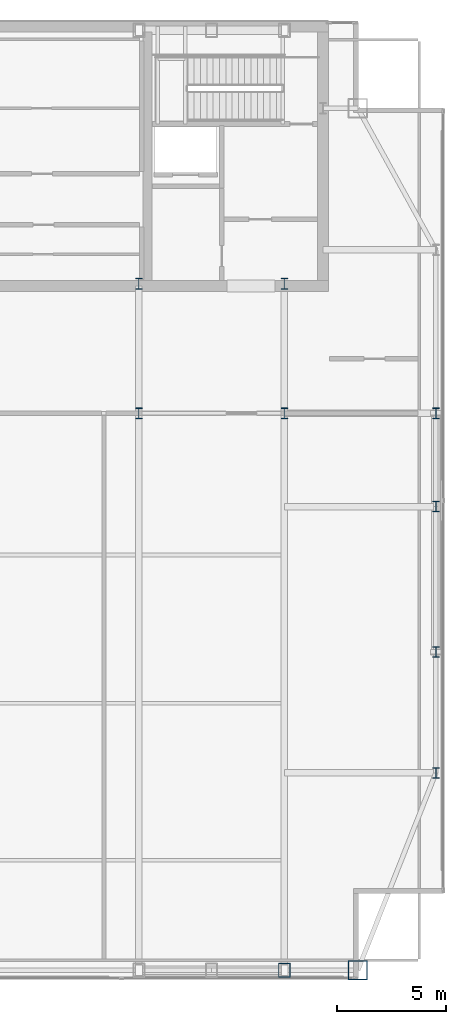
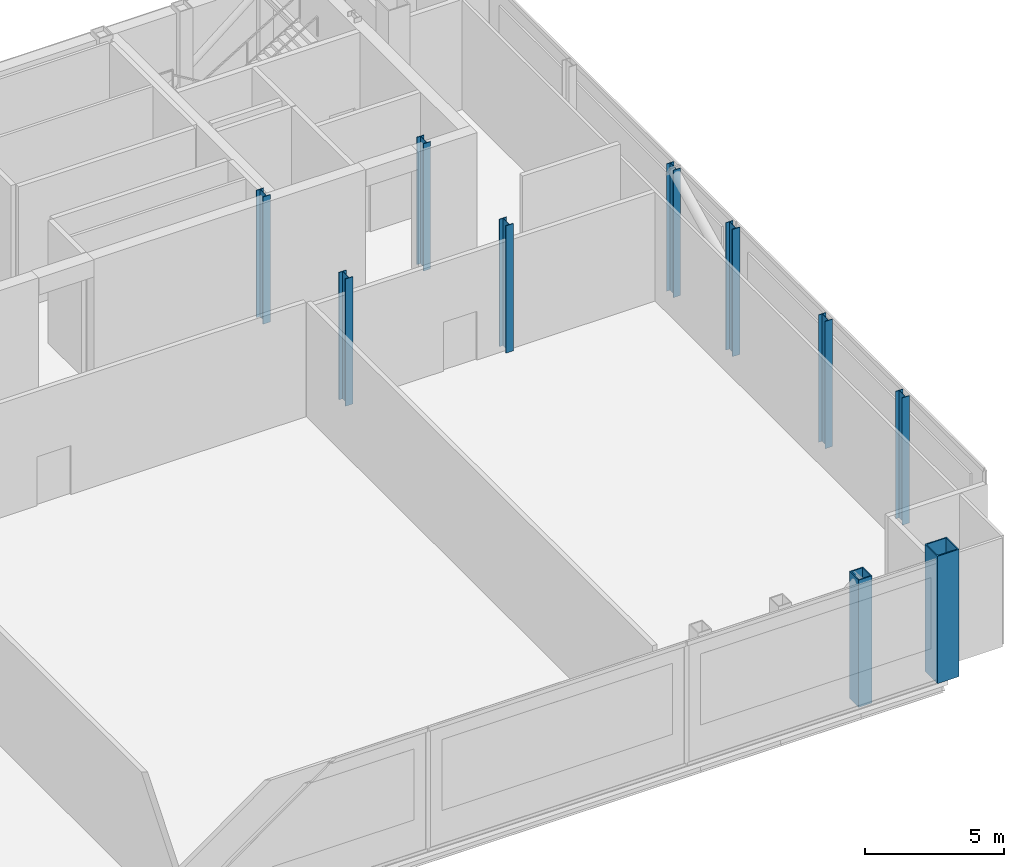
# One storey, part 2 of 22: 10 columns.
"""IFC4 building model written with IfcOpenShell, lengths in metres."""

from ifc_helpers import new_model, si_unit, direction, frame, origin, origin_2d, place, context, subcontext, project, spatial, hollow_rectangle, i_section, extrude, material, material_profile, profile_set, type_object, element, save


model = new_model("IFC4")

# Units and contexts
model_context = context("Model", 3, precision=1e-05, world=origin(), true_north=direction((0.0, 1.0)))
body_context = subcontext(model_context, "Body", "Model", "MODEL_VIEW")
ifc_project = project(units=[si_unit("LENGTHUNIT", "METRE"), si_unit("AREAUNIT", "SQUARE_METRE"), si_unit("VOLUMEUNIT", "CUBIC_METRE"), si_unit("PLANEANGLEUNIT", "RADIAN"), si_unit("MASSUNIT", "GRAM", prefix="KILO")], contexts=[model_context])

# Site, building, storey
site_placement = place(None, origin())
site = spatial("IfcSite", under=ifc_project, at=site_placement, CompositionType="ELEMENT")
building_placement = place(site_placement, origin())
building = spatial("IfcBuilding", under=site, at=building_placement, Name="Khoronbel Lancet Exchange", CompositionType="ELEMENT")
storey_placement = place(building_placement, frame((0.0, 0.0, 373.0)))
storey = spatial("IfcBuildingStorey", under=building, at=storey_placement, Name="L95", CompositionType="ELEMENT", Elevation=373.0)

# Columns
ifc_material_1 = material(Name="Steel S355", Category="steel")
ifc_material_profile_1 = material_profile(ifc_material_1, i_section(OverallWidth=0.300048828125, OverallDepth=0.5, WebThickness=0.014404296875, FlangeThickness=0.028076171875, at=origin_2d()), Name="HEB 500")
ifc_profile_set_1 = profile_set([ifc_material_profile_1], Name="Steel S355")
column_type_1 = type_object("IfcColumnType", Name="COL-CRC1", PredefinedType="COLUMN", material=ifc_profile_set_1)
for number, where, z_axis, x_axis, name in (
    (1, (61.6298828125, 19.199951171875, 0.0), (0.0, 0.0, 1.0), (1.0, 0.0, 0.0), "CROWN FRAME column EC-1 L95"),
    (2, (61.6298828125, 24.75, 0.0), (0.0, 0.0, 1.0), (1.0, 0.0, 0.0), "CROWN FRAME column EC-2 L95"),
    (3, (61.6298828125, 31.425048828125, 0.0), (0.0, 0.0, 1.0), (1.0, 0.0, 0.0), "CROWN FRAME column EC-M L95"),
    (4, (61.6298828125, 35.699951171875, 0.0), (0.0, 0.0, 1.0), (1.0, 0.0, 0.0), "CROWN FRAME column EC-3 L95"),
    (5, (48.0, 35.699951171875, 0.0), (0.0, 0.0, 1.0), (1.0, 0.0, 0.0), "CROWN FRAME spine column TC3 L95"),
    (6, (48.0, 41.64990234375, 0.0), (0.0, 0.0, 1.0), (1.0, 0.0, 0.0), "Core-embedded steel column CTC3 L95"),
    (7, (54.675048828125, 35.699951171875, 0.0), (0.0, 0.0, 1.0), (1.0, 0.0, 0.0), "CROWN FRAME spine column TC4 L95"),
    (8, (54.675048828125, 41.64990234375, 0.0), (0.0, 0.0, 1.0), (1.0, 0.0, 0.0), "Core-embedded steel column CTC4 L95"),
):
    element("IfcColumn", number, at=place(storey_placement, frame(where, z_axis=z_axis, x_axis=x_axis)), inside=storey, type_object=column_type_1, Name=name, PredefinedType="COLUMN", context=body_context, shape_type="SweptSolid", body=[
        extrude(i_section(OverallWidth=0.300048828125, OverallDepth=0.5, WebThickness=0.014404296875, FlangeThickness=0.028076171875, at=origin_2d()), origin(), (0.0, 0.0, 1.0), 5.60009765625),
    ])
ifc_material_2 = material(Name="Steel S460", Category="steel")
ifc_material_profile_2 = material_profile(ifc_material_2, hollow_rectangle(XDim=0.550048828125, YDim=0.64990234375, WallThickness=0.0400390625, at=origin_2d()), Name="BOX 650x550x40")
ifc_profile_set_2 = profile_set([ifc_material_profile_2], Name="Steel S460")
column_type_2 = type_object("IfcColumnType", Name="COL-EC4", PredefinedType="COLUMN", material=ifc_profile_set_2)
column_1_placement = place(storey_placement, frame((54.675048828125, 10.14990234375, 0.0), z_axis=(0.0, 0.0, 1.0), x_axis=(1.0, 0.0, 0.0)))
element("IfcColumn", 9, at=column_1_placement, inside=storey, type_object=column_type_2, Name="CROWN FRAME column SC-E2 L95", PredefinedType="COLUMN", context=body_context, shape_type="SweptSolid", body=[
    extrude(hollow_rectangle(XDim=0.550048828125, YDim=0.64990234375, WallThickness=0.0400390625, at=origin_2d()), origin(), (0.0, 0.0, 1.0), 5.60009765625),
])
ifc_material_profile_3 = material_profile(ifc_material_2, hollow_rectangle(XDim=0.89990234375, YDim=0.89990234375, WallThickness=0.050048828125, at=origin_2d()), Name="BOX 900x900x50")
ifc_profile_set_3 = profile_set([ifc_material_profile_3], Name="Steel S460")
column_type_3 = type_object("IfcColumnType", Name="COL-MC7", PredefinedType="COLUMN", material=ifc_profile_set_3)
column_2_placement = place(storey_placement, frame((58.050048828125, 10.14990234375, 0.0), z_axis=(0.0, 0.0, 1.0), x_axis=(1.0, 0.0, 0.0)))
element("IfcColumn", 10, at=column_2_placement, inside=storey, type_object=column_type_3, Name="CROWN FRAME column MC-SE L95", PredefinedType="COLUMN", context=body_context, shape_type="SweptSolid", body=[
    extrude(hollow_rectangle(XDim=0.89990234375, YDim=0.89990234375, WallThickness=0.050048828125, at=origin_2d()), origin(), (0.0, 0.0, 1.0), 5.60009765625),
])

save(model, "model.ifc")
